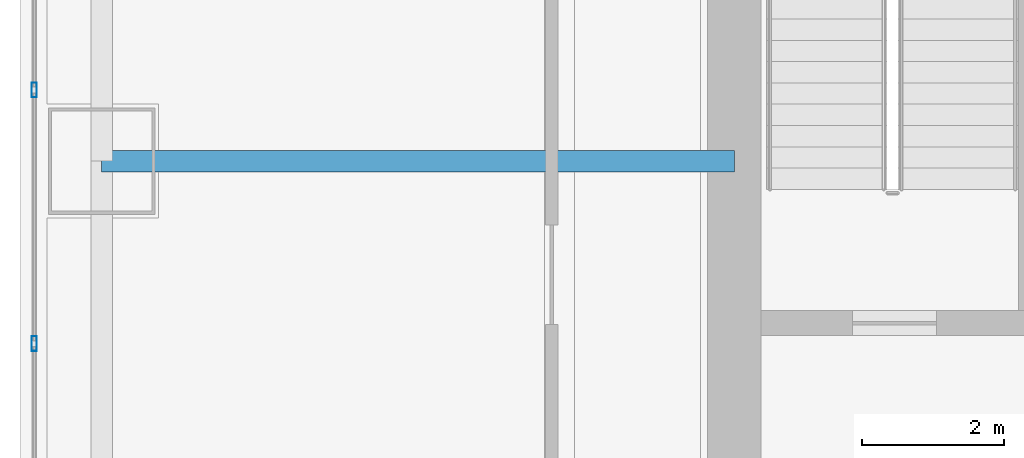
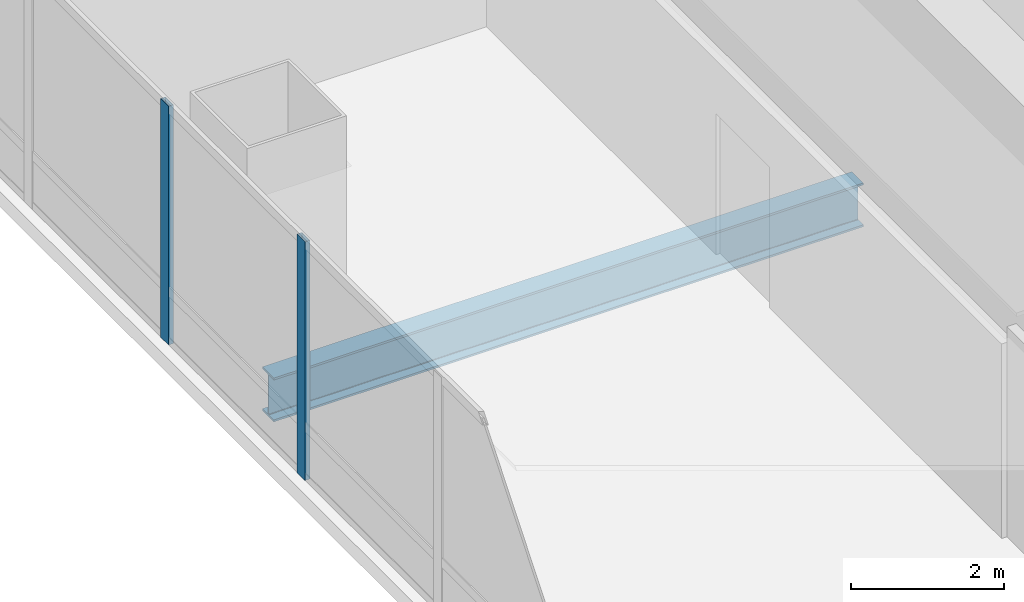
# One storey, part 8 of 34: 2 members, 1 beam, 1 element without a shape of its own.
"""IFC4 building model written with IfcOpenShell, lengths in metres."""

from ifc_helpers import new_model, si_unit, direction, frame, origin, origin_2d, place, context, subcontext, project, spatial, hollow_rectangle, i_section, extrude, material, material_profile, profile_set, type_object, element, aggregate, save


model = new_model("IFC4")

# Units and contexts
model_context = context("Model", 3, precision=1e-05, world=origin(), true_north=direction((0.0, 1.0)))
body_context = subcontext(model_context, "Body", "Model", "MODEL_VIEW")
ifc_project = project(units=[si_unit("LENGTHUNIT", "METRE"), si_unit("AREAUNIT", "SQUARE_METRE"), si_unit("VOLUMEUNIT", "CUBIC_METRE"), si_unit("PLANEANGLEUNIT", "RADIAN"), si_unit("MASSUNIT", "GRAM", prefix="KILO")], contexts=[model_context])

# Site, building, storey
site_placement = place(None, origin())
site = spatial("IfcSite", under=ifc_project, at=site_placement, CompositionType="ELEMENT")
building_placement = place(site_placement, origin())
building = spatial("IfcBuilding", under=site, at=building_placement, Name="Punatoya Terracotta Tower", CompositionType="ELEMENT")
storey_placement = place(building_placement, frame((0.0, 0.0, 84.89990234375)))
storey = spatial("IfcBuildingStorey", under=building, at=storey_placement, Name="L19", CompositionType="ELEMENT", Elevation=84.89990234375)

# Beam
ifc_material_1 = material(Name="Steel S355", Category="steel")
ifc_material_profile_1 = material_profile(ifc_material_1, i_section(OverallWidth=0.300048828125, OverallDepth=0.699951171875, WebThickness=0.01708984375, FlangeThickness=0.031982421875, FilletRadius=0.01806640625, at=origin_2d()))
ifc_profile_set_1 = profile_set([ifc_material_profile_1], Name="Steel S355")
beam_type = type_object("IfcBeamType", Name="BM-PRI-700", PredefinedType="BEAM", material=ifc_profile_set_1)
beam_placement = place(storey_placement, frame((-19.10009765625, -3.39990234375, -0.58984375), z_axis=(1.0, 0.0, 0.0), x_axis=(0.0, 1.0, 0.0)))
element("IfcBeam", 1, at=beam_placement, inside=storey, type_object=beam_type, Name="BM-L19-PR-WD", PredefinedType="BEAM", context=body_context, shape_type="SweptSolid", body=[
    extrude(i_section(OverallWidth=0.300048828125, OverallDepth=0.699951171875, WebThickness=0.01708984375, FlangeThickness=0.031982421875, FilletRadius=0.01806640625, at=origin_2d()), origin(), (0.0, 0.0, 1.0), 8.900146484375),
])

# Curtain wall, members
ifc_material_2 = material(Name="Aluminium 6063-T6 + Double Low-E Glass", Category="aluminium")
curtain_wall_type = type_object("IfcCurtainWallType", Name="CW-M1", PredefinedType="NOTDEFINED", material=ifc_material_2)
curtain_wall_placement = place(storey_placement, origin())
curtain_wall = element("IfcCurtainWall", 2, at=curtain_wall_placement, inside=storey, type_object=curtain_wall_type, Name="L19 Curtain Wall CW-L19-W13-1", PredefinedType="NOTDEFINED")
ifc_material_3 = material(Name="Aluminium 6063-T6", Category="aluminium")
ifc_material_profile_2 = material_profile(ifc_material_3, hollow_rectangle(XDim=0.074951171875, YDim=0.2099609375, WallThickness=0.00439453125, at=origin_2d()))
ifc_profile_set_2 = profile_set([ifc_material_profile_2], Name="Aluminium 6063-T6")
member_type = type_object("IfcMemberType", Name="CW-MUL-M1", PredefinedType="MULLION", material=ifc_profile_set_2)
member_1_placement = place(storey_placement, frame((-20.050048828125, -2.39990234375, 0.0), z_axis=(0.0, 0.0, 1.0), x_axis=(1.0, 0.0, 0.0)))
member_1 = element("IfcMember", 3, at=member_1_placement, type_object=member_type, Name="CW-L19-W13-1 Mullion 05", PredefinedType="MULLION", context=body_context, shape_type="SweptSolid", body=[
    extrude(hollow_rectangle(XDim=0.074951171875, YDim=0.2099609375, WallThickness=0.00439453125, at=origin_2d()), origin(), (0.0, 0.0, 1.0), 3.81005859375),
])
member_2_placement = place(storey_placement, frame((-20.050048828125, -5.96728515625, 0.0), z_axis=(0.0, 0.0, 1.0), x_axis=(1.0, 0.0, 0.0)))
member_2 = element("IfcMember", 4, at=member_2_placement, type_object=member_type, Name="CW-L19-W13-1 Mullion 06", PredefinedType="MULLION", context=body_context, shape_type="SweptSolid", body=[
    extrude(hollow_rectangle(XDim=0.074951171875, YDim=0.2099609375, WallThickness=0.00439453125, at=origin_2d()), origin(), (0.0, 0.0, 1.0), 3.81005859375),
])
aggregate(curtain_wall, [member_1, member_2])

save(model, "model.ifc")
